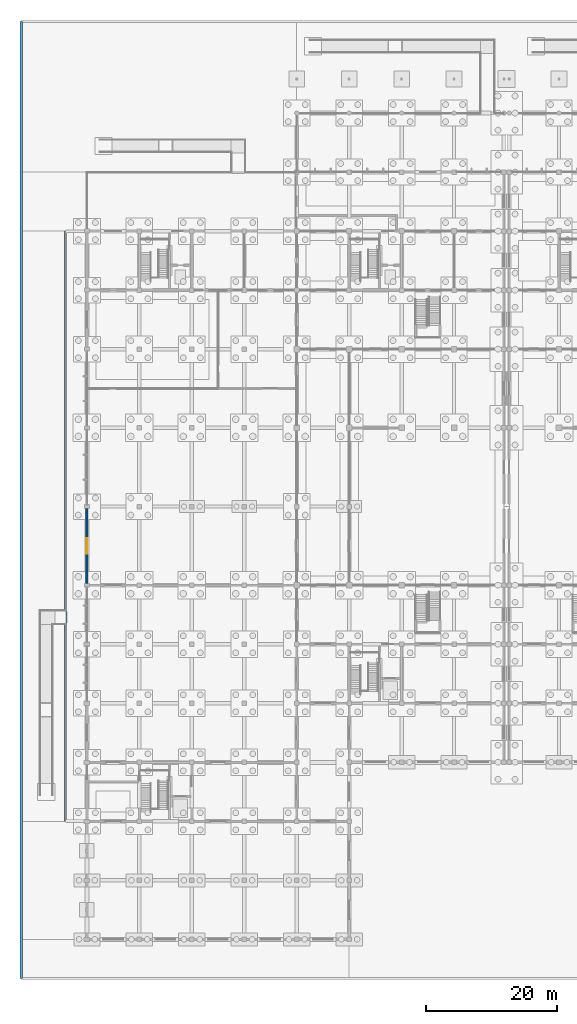
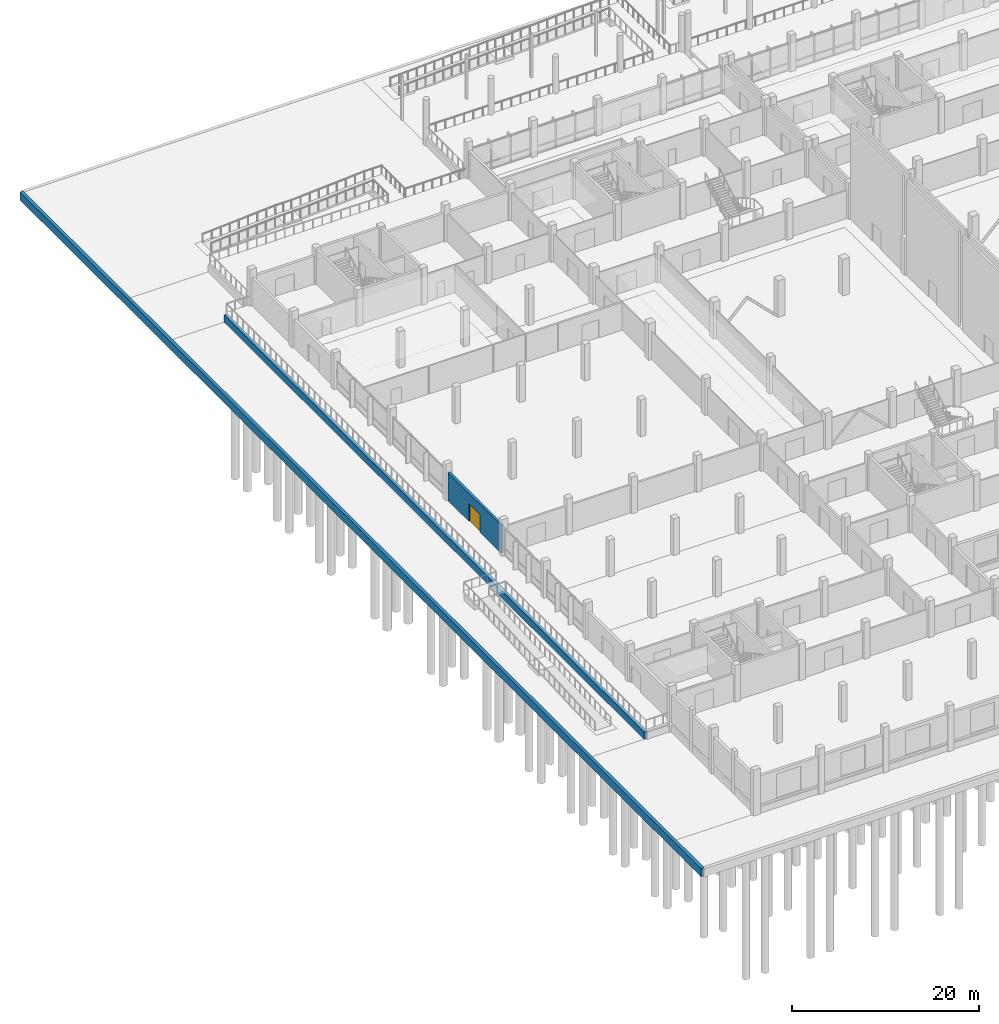
# One storey, part 46 of 72: 3 walls, 1 door, 1 opening.
"""IFC4 building model written with IfcOpenShell, lengths in metres."""

from ifc_helpers import new_model, si_unit, direction, frame, frame_2d, origin, place, context, subcontext, project, spatial, rectangle, extrude, material, layer, layer_set, type_object, element, fill, save


model = new_model("IFC4")

# Units and contexts
model_context = context("Model", 3, precision=1e-05, world=origin(), true_north=direction((0.0, 1.0)))
body_context = subcontext(model_context, "Body", "Model", "MODEL_VIEW")
ifc_project = project(units=[si_unit("LENGTHUNIT", "METRE"), si_unit("AREAUNIT", "SQUARE_METRE"), si_unit("VOLUMEUNIT", "CUBIC_METRE"), si_unit("PLANEANGLEUNIT", "RADIAN"), si_unit("MASSUNIT", "GRAM", prefix="KILO"), si_unit("THERMODYNAMICTEMPERATUREUNIT", "KELVIN"), si_unit("POWERUNIT", "WATT")], contexts=[model_context])

# Site, building, storey
site_placement = place(None, origin())
site = spatial("IfcSite", under=ifc_project, at=site_placement, CompositionType="ELEMENT")
building_placement = place(site_placement, origin())
building = spatial("IfcBuilding", under=site, at=building_placement, Name="Kronsvod Quay Wholesale Market", CompositionType="ELEMENT")
storey_placement = place(building_placement, origin())
storey = spatial("IfcBuildingStorey", under=building, at=storey_placement, Name="L00", CompositionType="ELEMENT", Elevation=0.0)

# Wall, opening, door
ifc_material_1 = material(Name="Precast concrete C40/50", Category="concrete")
ifc_layer_1 = layer(ifc_material_1, 0.300048828125)
ifc_layer_set_1 = layer_set([ifc_layer_1], Name="Precast concrete C40/50")
wall_type_1 = type_object("IfcWallType", Name="Wall_ExtPrecast300", PredefinedType="SOLIDWALL", material=ifc_layer_set_1)
wall_1_placement = place(storey_placement, frame((0.0, 65.705078125, 0.0), z_axis=(0.0, 0.0, 1.0), x_axis=(0.0, -1.0, 0.0)))
wall_1 = element("IfcWall", 1, at=wall_1_placement, inside=storey, type_object=wall_type_1, Name="EW-Y-L00-0017", PredefinedType="SOLIDWALL", context=body_context, shape_type="SweptSolid", body=[
    extrude(rectangle(XDim=11.41015625, YDim=0.300048828125, at=frame_2d((5.705078125, 0.0))), origin(), (0.0, 0.0, 1.0), 3.64990234375),
])
opening_placement = place(wall_1_placement, frame((4.5048828125, 0.0, 0.0)))
opening = element("IfcOpeningElement", 2, at=opening_placement, cuts=wall_1, Name="Opening ED-012", PredefinedType="OPENING", context=body_context, shape_type="SweptSolid", body=[
    extrude(rectangle(XDim=2.39990234375, YDim=2.300048828125, at=frame_2d((1.199951171875, 1.14990234375))), frame((0.0, 0.16015625, 0.0), z_axis=(0.0, -1.0, 0.0), x_axis=(1.0, 0.0, 0.0)), (0.0, 0.0, 1.0), 0.320068359375),
])
ifc_material_2 = material(Name="Aluminium and safety glass", Category="aluminium")
door_type = type_object("IfcDoorType", Name="Door_ExitDouble240x230", OperationType="DOUBLE_DOOR_SINGLE_SWING", PredefinedType="DOOR", material=ifc_material_2)
door_placement = place(opening_placement, frame((2.39990234375, 0.0, 0.0), z_axis=(0.0, 0.0, 1.0), x_axis=(-1.0, 0.0, 0.0)))
door = element("IfcDoor", 3, at=door_placement, inside=storey, type_object=door_type, Name="Street Exit Door ED-012", OperationType="DOUBLE_DOOR_SINGLE_SWING", OverallHeight=2.300048828125, OverallWidth=2.39990234375, PredefinedType="DOOR", context=body_context, shape_type="SweptSolid", body=[
    extrude(rectangle(XDim=2.39990234375, YDim=2.300048828125, at=frame_2d((1.199951171875, 1.14990234375))), frame((0.0, 0.02490234375, 0.0), z_axis=(0.0, -1.0, 0.0), x_axis=(1.0, 0.0, 0.0)), (0.0, 0.0, 1.0), 0.050048828125),
])
fill(opening, door)

# Walls
ifc_material_3 = material(Name="Precast concrete C40/50", Category="concrete")
ifc_layer_2 = layer(ifc_material_3, 0.39990234375)
ifc_layer_set_2 = layer_set([ifc_layer_2], Name="Precast concrete C40/50")
wall_type_2 = type_object("IfcWallType", Name="Wall_PlinthSkirt400", PredefinedType="STANDARD", material=ifc_layer_set_2)
wall_2_placement = place(storey_placement, frame((-3.199951171875, 18.0, -1.25), z_axis=(0.0, 0.0, 1.0), x_axis=(0.0, 1.0, 0.0)))
element("IfcWall", 4, at=wall_2_placement, inside=storey, type_object=wall_type_2, Name="RW-WDK2", PredefinedType="STANDARD", context=body_context, shape_type="SweptSolid", body=[
    extrude(rectangle(XDim=90.0, YDim=0.39990234375, at=frame_2d((45.0, 0.0))), origin(), (0.0, 0.0, 1.0), 0.969970703125),
])
wall_3_placement = place(storey_placement, frame((-10.0, -6.0, -2.25), z_axis=(0.0, 0.0, 1.0), x_axis=(0.0, 1.0, 0.0)))
element("IfcWall", 5, at=wall_3_placement, inside=storey, type_object=wall_type_2, Name="RW-QW", PredefinedType="STANDARD", context=body_context, shape_type="SweptSolid", body=[
    extrude(rectangle(XDim=146.0, YDim=0.39990234375, at=frame_2d((73.0, 0.0))), origin(), (0.0, 0.0, 1.0), 1.050048828125),
])

save(model, "model.ifc")
